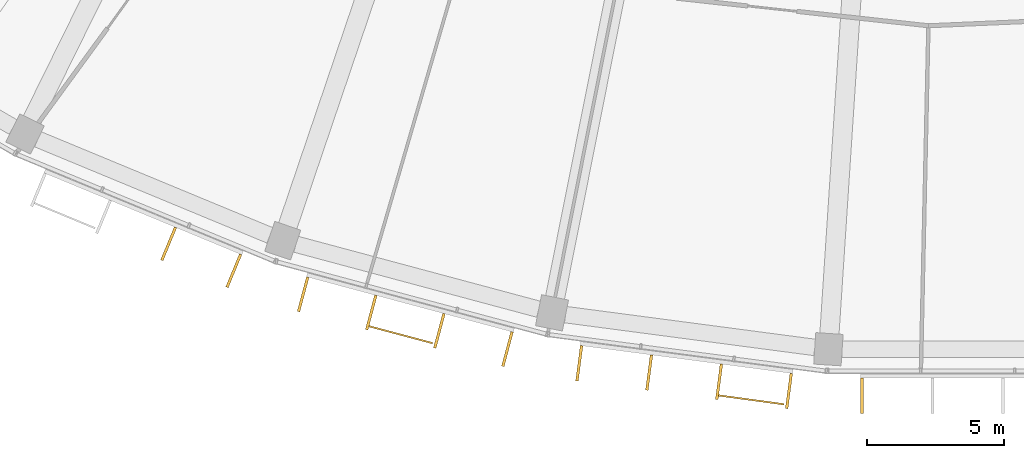
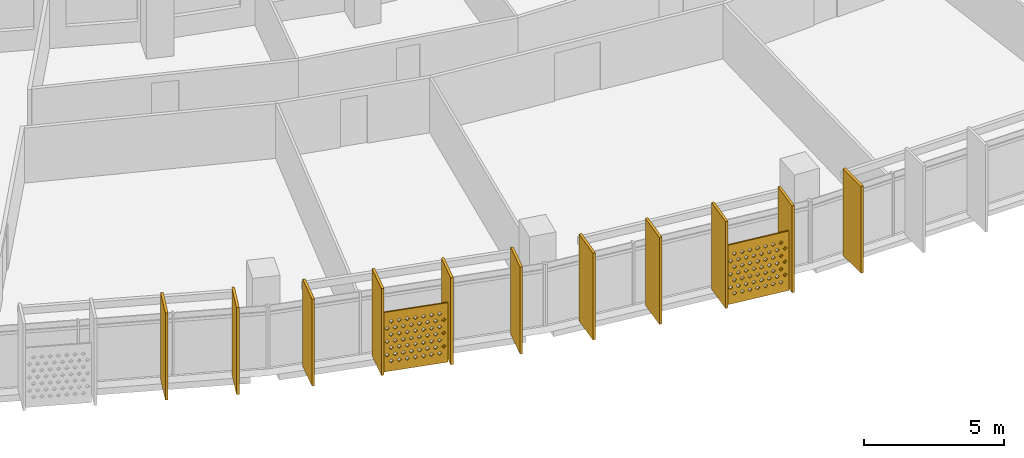
# One storey, part 24 of 28: 13 shading devices.
"""IFC4 building model written with IfcOpenShell, lengths in metres."""

from ifc_helpers import new_model, si_unit, direction, frame, origin, origin_2d, place, context, subcontext, project, spatial, polyline, rectangle, outline, extrude, material, material_profile, profile_set, type_object, element, save


model = new_model("IFC4")

# Units and contexts
model_context = context("Model", 3, precision=1e-05, world=origin(), true_north=direction((0.0, 1.0)))
body_context = subcontext(model_context, "Body", "Model", "MODEL_VIEW")
ifc_project = project(units=[si_unit("LENGTHUNIT", "METRE"), si_unit("AREAUNIT", "SQUARE_METRE"), si_unit("VOLUMEUNIT", "CUBIC_METRE"), si_unit("PLANEANGLEUNIT", "RADIAN"), si_unit("MASSUNIT", "GRAM", prefix="KILO")], contexts=[model_context])

# Site, building, storey
site_placement = place(None, origin())
site = spatial("IfcSite", under=ifc_project, at=site_placement, CompositionType="ELEMENT")
building_placement = place(site_placement, origin())
building = spatial("IfcBuilding", under=site, at=building_placement, Name="Qamariyya Broadcast Tower", CompositionType="ELEMENT")
storey_placement = place(building_placement, frame((0.0, 0.0, 249.300048828125)))
storey = spatial("IfcBuildingStorey", under=building, at=storey_placement, Name="L60", CompositionType="ELEMENT", Elevation=249.300048828125)

# Shading devices
ifc_material_1 = material(Name="Perforated glazed terracotta", Category="masonry")
ifc_material_profile_1 = material_profile(ifc_material_1, outline(polyline([(-1.199951171875, -1.300048828125), (1.199951171875, -1.300048828125), (1.199951171875, 1.300048828125), (-1.199951171875, 1.300048828125), (-1.199951171875, -1.300048828125)]), holes=[polyline([(-0.81494140625, -0.86669921875), (-0.89990234375, -0.78173828125), (-0.985107421875, -0.86669921875), (-0.89990234375, -0.95166015625), (-0.81494140625, -0.86669921875)]), polyline([(-0.514892578125, -0.86669921875), (-0.60009765625, -0.78173828125), (-0.68505859375, -0.86669921875), (-0.60009765625, -0.95166015625), (-0.514892578125, -0.86669921875)]), polyline([(-0.215087890625, -0.86669921875), (-0.300048828125, -0.78173828125), (-0.385009765625, -0.86669921875), (-0.300048828125, -0.95166015625), (-0.215087890625, -0.86669921875)]), polyline([(0.0849609375, -0.86669921875), (0.0, -0.78173828125), (-0.0849609375, -0.86669921875), (0.0, -0.95166015625), (0.0849609375, -0.86669921875)]), polyline([(0.385009765625, -0.86669921875), (0.300048828125, -0.78173828125), (0.215087890625, -0.86669921875), (0.300048828125, -0.95166015625), (0.385009765625, -0.86669921875)]), polyline([(0.68505859375, -0.86669921875), (0.60009765625, -0.78173828125), (0.514892578125, -0.86669921875), (0.60009765625, -0.95166015625), (0.68505859375, -0.86669921875)]), polyline([(0.985107421875, -0.86669921875), (0.89990234375, -0.78173828125), (0.81494140625, -0.86669921875), (0.89990234375, -0.95166015625), (0.985107421875, -0.86669921875)]), polyline([(-0.965087890625, -0.577880859375), (-1.050048828125, -0.49267578125), (-1.135009765625, -0.577880859375), (-1.050048828125, -0.662841796875), (-0.965087890625, -0.577880859375)]), polyline([(-0.6650390625, -0.577880859375), (-0.75, -0.49267578125), (-0.8349609375, -0.577880859375), (-0.75, -0.662841796875), (-0.6650390625, -0.577880859375)]), polyline([(-0.364990234375, -0.577880859375), (-0.449951171875, -0.49267578125), (-0.534912109375, -0.577880859375), (-0.449951171875, -0.662841796875), (-0.364990234375, -0.577880859375)]), polyline([(-0.06494140625, -0.577880859375), (-0.14990234375, -0.49267578125), (-0.235107421875, -0.577880859375), (-0.14990234375, -0.662841796875), (-0.06494140625, -0.577880859375)]), polyline([(0.235107421875, -0.577880859375), (0.14990234375, -0.49267578125), (0.06494140625, -0.577880859375), (0.14990234375, -0.662841796875), (0.235107421875, -0.577880859375)]), polyline([(0.534912109375, -0.577880859375), (0.449951171875, -0.49267578125), (0.364990234375, -0.577880859375), (0.449951171875, -0.662841796875), (0.534912109375, -0.577880859375)]), polyline([(0.8349609375, -0.577880859375), (0.75, -0.49267578125), (0.6650390625, -0.577880859375), (0.75, -0.662841796875), (0.8349609375, -0.577880859375)]), polyline([(1.135009765625, -0.577880859375), (1.050048828125, -0.49267578125), (0.965087890625, -0.577880859375), (1.050048828125, -0.662841796875), (1.135009765625, -0.577880859375)]), polyline([(-0.81494140625, -0.288818359375), (-0.89990234375, -0.203857421875), (-0.985107421875, -0.288818359375), (-0.89990234375, -0.373779296875), (-0.81494140625, -0.288818359375)]), polyline([(-0.514892578125, -0.288818359375), (-0.60009765625, -0.203857421875), (-0.68505859375, -0.288818359375), (-0.60009765625, -0.373779296875), (-0.514892578125, -0.288818359375)]), polyline([(-0.215087890625, -0.288818359375), (-0.300048828125, -0.203857421875), (-0.385009765625, -0.288818359375), (-0.300048828125, -0.373779296875), (-0.215087890625, -0.288818359375)]), polyline([(0.0849609375, -0.288818359375), (0.0, -0.203857421875), (-0.0849609375, -0.288818359375), (0.0, -0.373779296875), (0.0849609375, -0.288818359375)]), polyline([(0.385009765625, -0.288818359375), (0.300048828125, -0.203857421875), (0.215087890625, -0.288818359375), (0.300048828125, -0.373779296875), (0.385009765625, -0.288818359375)]), polyline([(0.68505859375, -0.288818359375), (0.60009765625, -0.203857421875), (0.514892578125, -0.288818359375), (0.60009765625, -0.373779296875), (0.68505859375, -0.288818359375)]), polyline([(0.985107421875, -0.288818359375), (0.89990234375, -0.203857421875), (0.81494140625, -0.288818359375), (0.89990234375, -0.373779296875), (0.985107421875, -0.288818359375)]), polyline([(-0.965087890625, 0.0), (-1.050048828125, 0.0849609375), (-1.135009765625, 0.0), (-1.050048828125, -0.0849609375), (-0.965087890625, 0.0)]), polyline([(-0.6650390625, 0.0), (-0.75, 0.0849609375), (-0.8349609375, 0.0), (-0.75, -0.0849609375), (-0.6650390625, 0.0)]), polyline([(-0.364990234375, 0.0), (-0.449951171875, 0.0849609375), (-0.534912109375, 0.0), (-0.449951171875, -0.0849609375), (-0.364990234375, 0.0)]), polyline([(-0.06494140625, 0.0), (-0.14990234375, 0.0849609375), (-0.235107421875, 0.0), (-0.14990234375, -0.0849609375), (-0.06494140625, 0.0)]), polyline([(0.235107421875, 0.0), (0.14990234375, 0.0849609375), (0.06494140625, 0.0), (0.14990234375, -0.0849609375), (0.235107421875, 0.0)]), polyline([(0.534912109375, 0.0), (0.449951171875, 0.0849609375), (0.364990234375, 0.0), (0.449951171875, -0.0849609375), (0.534912109375, 0.0)]), polyline([(0.8349609375, 0.0), (0.75, 0.0849609375), (0.6650390625, 0.0), (0.75, -0.0849609375), (0.8349609375, 0.0)]), polyline([(1.135009765625, 0.0), (1.050048828125, 0.0849609375), (0.965087890625, 0.0), (1.050048828125, -0.0849609375), (1.135009765625, 0.0)]), polyline([(-0.81494140625, 0.288818359375), (-0.89990234375, 0.373779296875), (-0.985107421875, 0.288818359375), (-0.89990234375, 0.203857421875), (-0.81494140625, 0.288818359375)]), polyline([(-0.514892578125, 0.288818359375), (-0.60009765625, 0.373779296875), (-0.68505859375, 0.288818359375), (-0.60009765625, 0.203857421875), (-0.514892578125, 0.288818359375)]), polyline([(-0.215087890625, 0.288818359375), (-0.300048828125, 0.373779296875), (-0.385009765625, 0.288818359375), (-0.300048828125, 0.203857421875), (-0.215087890625, 0.288818359375)]), polyline([(0.0849609375, 0.288818359375), (0.0, 0.373779296875), (-0.0849609375, 0.288818359375), (0.0, 0.203857421875), (0.0849609375, 0.288818359375)]), polyline([(0.385009765625, 0.288818359375), (0.300048828125, 0.373779296875), (0.215087890625, 0.288818359375), (0.300048828125, 0.203857421875), (0.385009765625, 0.288818359375)]), polyline([(0.68505859375, 0.288818359375), (0.60009765625, 0.373779296875), (0.514892578125, 0.288818359375), (0.60009765625, 0.203857421875), (0.68505859375, 0.288818359375)]), polyline([(0.985107421875, 0.288818359375), (0.89990234375, 0.373779296875), (0.81494140625, 0.288818359375), (0.89990234375, 0.203857421875), (0.985107421875, 0.288818359375)]), polyline([(-0.965087890625, 0.577880859375), (-1.050048828125, 0.662841796875), (-1.135009765625, 0.577880859375), (-1.050048828125, 0.49267578125), (-0.965087890625, 0.577880859375)]), polyline([(-0.6650390625, 0.577880859375), (-0.75, 0.662841796875), (-0.8349609375, 0.577880859375), (-0.75, 0.49267578125), (-0.6650390625, 0.577880859375)]), polyline([(-0.364990234375, 0.577880859375), (-0.449951171875, 0.662841796875), (-0.534912109375, 0.577880859375), (-0.449951171875, 0.49267578125), (-0.364990234375, 0.577880859375)]), polyline([(-0.06494140625, 0.577880859375), (-0.14990234375, 0.662841796875), (-0.235107421875, 0.577880859375), (-0.14990234375, 0.49267578125), (-0.06494140625, 0.577880859375)]), polyline([(0.235107421875, 0.577880859375), (0.14990234375, 0.662841796875), (0.06494140625, 0.577880859375), (0.14990234375, 0.49267578125), (0.235107421875, 0.577880859375)]), polyline([(0.534912109375, 0.577880859375), (0.449951171875, 0.662841796875), (0.364990234375, 0.577880859375), (0.449951171875, 0.49267578125), (0.534912109375, 0.577880859375)]), polyline([(0.8349609375, 0.577880859375), (0.75, 0.662841796875), (0.6650390625, 0.577880859375), (0.75, 0.49267578125), (0.8349609375, 0.577880859375)]), polyline([(1.135009765625, 0.577880859375), (1.050048828125, 0.662841796875), (0.965087890625, 0.577880859375), (1.050048828125, 0.49267578125), (1.135009765625, 0.577880859375)]), polyline([(-0.81494140625, 0.86669921875), (-0.89990234375, 0.95166015625), (-0.985107421875, 0.86669921875), (-0.89990234375, 0.78173828125), (-0.81494140625, 0.86669921875)]), polyline([(-0.514892578125, 0.86669921875), (-0.60009765625, 0.95166015625), (-0.68505859375, 0.86669921875), (-0.60009765625, 0.78173828125), (-0.514892578125, 0.86669921875)]), polyline([(-0.215087890625, 0.86669921875), (-0.300048828125, 0.95166015625), (-0.385009765625, 0.86669921875), (-0.300048828125, 0.78173828125), (-0.215087890625, 0.86669921875)]), polyline([(0.0849609375, 0.86669921875), (0.0, 0.95166015625), (-0.0849609375, 0.86669921875), (0.0, 0.78173828125), (0.0849609375, 0.86669921875)]), polyline([(0.385009765625, 0.86669921875), (0.300048828125, 0.95166015625), (0.215087890625, 0.86669921875), (0.300048828125, 0.78173828125), (0.385009765625, 0.86669921875)]), polyline([(0.68505859375, 0.86669921875), (0.60009765625, 0.95166015625), (0.514892578125, 0.86669921875), (0.60009765625, 0.78173828125), (0.68505859375, 0.86669921875)]), polyline([(0.985107421875, 0.86669921875), (0.89990234375, 0.95166015625), (0.81494140625, 0.86669921875), (0.89990234375, 0.78173828125), (0.985107421875, 0.86669921875)])]))
ifc_profile_set_1 = profile_set([ifc_material_profile_1], Name="Perforated glazed terracotta")
shading_device_type_1 = type_object("IfcShadingDeviceType", Name="Perforated terracotta screen 2400 x 2600", PredefinedType="USERDEFINED", material=ifc_profile_set_1)
shading_device_1_placement = place(storey_placement, frame((-20.676025390625, -77.02490234375, 1.349853515625), z_axis=(-0.256901156343, -0.966437683387, 0.0), x_axis=(0.966437683387, -0.256901156343, 0.0)))
element("IfcShadingDevice", 1, at=shading_device_1_placement, inside=storey, type_object=shading_device_type_1, Name="e-scr-L60-06-1", ObjectType="SCREEN", PredefinedType="USERDEFINED", context=body_context, shape_type="SweptSolid", body=[
    extrude(outline(polyline([(-1.199951171875, -1.300048828125), (1.199951171875, -1.300048828125), (1.199951171875, 1.300048828125), (-1.199951171875, 1.300048828125), (-1.199951171875, -1.300048828125)]), holes=[polyline([(-0.81494140625, -0.86669921875), (-0.89990234375, -0.78173828125), (-0.985107421875, -0.86669921875), (-0.89990234375, -0.95166015625), (-0.81494140625, -0.86669921875)]), polyline([(-0.514892578125, -0.86669921875), (-0.60009765625, -0.78173828125), (-0.68505859375, -0.86669921875), (-0.60009765625, -0.95166015625), (-0.514892578125, -0.86669921875)]), polyline([(-0.215087890625, -0.86669921875), (-0.300048828125, -0.78173828125), (-0.385009765625, -0.86669921875), (-0.300048828125, -0.95166015625), (-0.215087890625, -0.86669921875)]), polyline([(0.0849609375, -0.86669921875), (0.0, -0.78173828125), (-0.0849609375, -0.86669921875), (0.0, -0.95166015625), (0.0849609375, -0.86669921875)]), polyline([(0.385009765625, -0.86669921875), (0.300048828125, -0.78173828125), (0.215087890625, -0.86669921875), (0.300048828125, -0.95166015625), (0.385009765625, -0.86669921875)]), polyline([(0.68505859375, -0.86669921875), (0.60009765625, -0.78173828125), (0.514892578125, -0.86669921875), (0.60009765625, -0.95166015625), (0.68505859375, -0.86669921875)]), polyline([(0.985107421875, -0.86669921875), (0.89990234375, -0.78173828125), (0.81494140625, -0.86669921875), (0.89990234375, -0.95166015625), (0.985107421875, -0.86669921875)]), polyline([(-0.965087890625, -0.577880859375), (-1.050048828125, -0.49267578125), (-1.135009765625, -0.577880859375), (-1.050048828125, -0.662841796875), (-0.965087890625, -0.577880859375)]), polyline([(-0.6650390625, -0.577880859375), (-0.75, -0.49267578125), (-0.8349609375, -0.577880859375), (-0.75, -0.662841796875), (-0.6650390625, -0.577880859375)]), polyline([(-0.364990234375, -0.577880859375), (-0.449951171875, -0.49267578125), (-0.534912109375, -0.577880859375), (-0.449951171875, -0.662841796875), (-0.364990234375, -0.577880859375)]), polyline([(-0.06494140625, -0.577880859375), (-0.14990234375, -0.49267578125), (-0.235107421875, -0.577880859375), (-0.14990234375, -0.662841796875), (-0.06494140625, -0.577880859375)]), polyline([(0.235107421875, -0.577880859375), (0.14990234375, -0.49267578125), (0.06494140625, -0.577880859375), (0.14990234375, -0.662841796875), (0.235107421875, -0.577880859375)]), polyline([(0.534912109375, -0.577880859375), (0.449951171875, -0.49267578125), (0.364990234375, -0.577880859375), (0.449951171875, -0.662841796875), (0.534912109375, -0.577880859375)]), polyline([(0.8349609375, -0.577880859375), (0.75, -0.49267578125), (0.6650390625, -0.577880859375), (0.75, -0.662841796875), (0.8349609375, -0.577880859375)]), polyline([(1.135009765625, -0.577880859375), (1.050048828125, -0.49267578125), (0.965087890625, -0.577880859375), (1.050048828125, -0.662841796875), (1.135009765625, -0.577880859375)]), polyline([(-0.81494140625, -0.288818359375), (-0.89990234375, -0.203857421875), (-0.985107421875, -0.288818359375), (-0.89990234375, -0.373779296875), (-0.81494140625, -0.288818359375)]), polyline([(-0.514892578125, -0.288818359375), (-0.60009765625, -0.203857421875), (-0.68505859375, -0.288818359375), (-0.60009765625, -0.373779296875), (-0.514892578125, -0.288818359375)]), polyline([(-0.215087890625, -0.288818359375), (-0.300048828125, -0.203857421875), (-0.385009765625, -0.288818359375), (-0.300048828125, -0.373779296875), (-0.215087890625, -0.288818359375)]), polyline([(0.0849609375, -0.288818359375), (0.0, -0.203857421875), (-0.0849609375, -0.288818359375), (0.0, -0.373779296875), (0.0849609375, -0.288818359375)]), polyline([(0.385009765625, -0.288818359375), (0.300048828125, -0.203857421875), (0.215087890625, -0.288818359375), (0.300048828125, -0.373779296875), (0.385009765625, -0.288818359375)]), polyline([(0.68505859375, -0.288818359375), (0.60009765625, -0.203857421875), (0.514892578125, -0.288818359375), (0.60009765625, -0.373779296875), (0.68505859375, -0.288818359375)]), polyline([(0.985107421875, -0.288818359375), (0.89990234375, -0.203857421875), (0.81494140625, -0.288818359375), (0.89990234375, -0.373779296875), (0.985107421875, -0.288818359375)]), polyline([(-0.965087890625, 0.0), (-1.050048828125, 0.0849609375), (-1.135009765625, 0.0), (-1.050048828125, -0.0849609375), (-0.965087890625, 0.0)]), polyline([(-0.6650390625, 0.0), (-0.75, 0.0849609375), (-0.8349609375, 0.0), (-0.75, -0.0849609375), (-0.6650390625, 0.0)]), polyline([(-0.364990234375, 0.0), (-0.449951171875, 0.0849609375), (-0.534912109375, 0.0), (-0.449951171875, -0.0849609375), (-0.364990234375, 0.0)]), polyline([(-0.06494140625, 0.0), (-0.14990234375, 0.0849609375), (-0.235107421875, 0.0), (-0.14990234375, -0.0849609375), (-0.06494140625, 0.0)]), polyline([(0.235107421875, 0.0), (0.14990234375, 0.0849609375), (0.06494140625, 0.0), (0.14990234375, -0.0849609375), (0.235107421875, 0.0)]), polyline([(0.534912109375, 0.0), (0.449951171875, 0.0849609375), (0.364990234375, 0.0), (0.449951171875, -0.0849609375), (0.534912109375, 0.0)]), polyline([(0.8349609375, 0.0), (0.75, 0.0849609375), (0.6650390625, 0.0), (0.75, -0.0849609375), (0.8349609375, 0.0)]), polyline([(1.135009765625, 0.0), (1.050048828125, 0.0849609375), (0.965087890625, 0.0), (1.050048828125, -0.0849609375), (1.135009765625, 0.0)]), polyline([(-0.81494140625, 0.288818359375), (-0.89990234375, 0.373779296875), (-0.985107421875, 0.288818359375), (-0.89990234375, 0.203857421875), (-0.81494140625, 0.288818359375)]), polyline([(-0.514892578125, 0.288818359375), (-0.60009765625, 0.373779296875), (-0.68505859375, 0.288818359375), (-0.60009765625, 0.203857421875), (-0.514892578125, 0.288818359375)]), polyline([(-0.215087890625, 0.288818359375), (-0.300048828125, 0.373779296875), (-0.385009765625, 0.288818359375), (-0.300048828125, 0.203857421875), (-0.215087890625, 0.288818359375)]), polyline([(0.0849609375, 0.288818359375), (0.0, 0.373779296875), (-0.0849609375, 0.288818359375), (0.0, 0.203857421875), (0.0849609375, 0.288818359375)]), polyline([(0.385009765625, 0.288818359375), (0.300048828125, 0.373779296875), (0.215087890625, 0.288818359375), (0.300048828125, 0.203857421875), (0.385009765625, 0.288818359375)]), polyline([(0.68505859375, 0.288818359375), (0.60009765625, 0.373779296875), (0.514892578125, 0.288818359375), (0.60009765625, 0.203857421875), (0.68505859375, 0.288818359375)]), polyline([(0.985107421875, 0.288818359375), (0.89990234375, 0.373779296875), (0.81494140625, 0.288818359375), (0.89990234375, 0.203857421875), (0.985107421875, 0.288818359375)]), polyline([(-0.965087890625, 0.577880859375), (-1.050048828125, 0.662841796875), (-1.135009765625, 0.577880859375), (-1.050048828125, 0.49267578125), (-0.965087890625, 0.577880859375)]), polyline([(-0.6650390625, 0.577880859375), (-0.75, 0.662841796875), (-0.8349609375, 0.577880859375), (-0.75, 0.49267578125), (-0.6650390625, 0.577880859375)]), polyline([(-0.364990234375, 0.577880859375), (-0.449951171875, 0.662841796875), (-0.534912109375, 0.577880859375), (-0.449951171875, 0.49267578125), (-0.364990234375, 0.577880859375)]), polyline([(-0.06494140625, 0.577880859375), (-0.14990234375, 0.662841796875), (-0.235107421875, 0.577880859375), (-0.14990234375, 0.49267578125), (-0.06494140625, 0.577880859375)]), polyline([(0.235107421875, 0.577880859375), (0.14990234375, 0.662841796875), (0.06494140625, 0.577880859375), (0.14990234375, 0.49267578125), (0.235107421875, 0.577880859375)]), polyline([(0.534912109375, 0.577880859375), (0.449951171875, 0.662841796875), (0.364990234375, 0.577880859375), (0.449951171875, 0.49267578125), (0.534912109375, 0.577880859375)]), polyline([(0.8349609375, 0.577880859375), (0.75, 0.662841796875), (0.6650390625, 0.577880859375), (0.75, 0.49267578125), (0.8349609375, 0.577880859375)]), polyline([(1.135009765625, 0.577880859375), (1.050048828125, 0.662841796875), (0.965087890625, 0.577880859375), (1.050048828125, 0.49267578125), (1.135009765625, 0.577880859375)]), polyline([(-0.81494140625, 0.86669921875), (-0.89990234375, 0.95166015625), (-0.985107421875, 0.86669921875), (-0.89990234375, 0.78173828125), (-0.81494140625, 0.86669921875)]), polyline([(-0.514892578125, 0.86669921875), (-0.60009765625, 0.95166015625), (-0.68505859375, 0.86669921875), (-0.60009765625, 0.78173828125), (-0.514892578125, 0.86669921875)]), polyline([(-0.215087890625, 0.86669921875), (-0.300048828125, 0.95166015625), (-0.385009765625, 0.86669921875), (-0.300048828125, 0.78173828125), (-0.215087890625, 0.86669921875)]), polyline([(0.0849609375, 0.86669921875), (0.0, 0.95166015625), (-0.0849609375, 0.86669921875), (0.0, 0.78173828125), (0.0849609375, 0.86669921875)]), polyline([(0.385009765625, 0.86669921875), (0.300048828125, 0.95166015625), (0.215087890625, 0.86669921875), (0.300048828125, 0.78173828125), (0.385009765625, 0.86669921875)]), polyline([(0.68505859375, 0.86669921875), (0.60009765625, 0.95166015625), (0.514892578125, 0.86669921875), (0.60009765625, 0.78173828125), (0.68505859375, 0.86669921875)]), polyline([(0.985107421875, 0.86669921875), (0.89990234375, 0.95166015625), (0.81494140625, 0.86669921875), (0.89990234375, 0.78173828125), (0.985107421875, 0.86669921875)])]), origin(), (0.0, 0.0, 1.0), 0.059814453125),
])
shading_device_2_placement = place(storey_placement, frame((-7.895263671875, -79.400390625, 1.349853515625), z_axis=(-0.13456727237, -0.990904460181, 0.0), x_axis=(0.990904460181, -0.13456727237, 0.0)))
element("IfcShadingDevice", 2, at=shading_device_2_placement, inside=storey, type_object=shading_device_type_1, Name="e-scr-L60-07-2", ObjectType="SCREEN", PredefinedType="USERDEFINED", context=body_context, shape_type="SweptSolid", body=[
    extrude(outline(polyline([(-1.199951171875, -1.300048828125), (1.199951171875, -1.300048828125), (1.199951171875, 1.300048828125), (-1.199951171875, 1.300048828125), (-1.199951171875, -1.300048828125)]), holes=[polyline([(-0.81494140625, -0.86669921875), (-0.89990234375, -0.78173828125), (-0.985107421875, -0.86669921875), (-0.89990234375, -0.95166015625), (-0.81494140625, -0.86669921875)]), polyline([(-0.514892578125, -0.86669921875), (-0.60009765625, -0.78173828125), (-0.68505859375, -0.86669921875), (-0.60009765625, -0.95166015625), (-0.514892578125, -0.86669921875)]), polyline([(-0.215087890625, -0.86669921875), (-0.300048828125, -0.78173828125), (-0.385009765625, -0.86669921875), (-0.300048828125, -0.95166015625), (-0.215087890625, -0.86669921875)]), polyline([(0.0849609375, -0.86669921875), (0.0, -0.78173828125), (-0.0849609375, -0.86669921875), (0.0, -0.95166015625), (0.0849609375, -0.86669921875)]), polyline([(0.385009765625, -0.86669921875), (0.300048828125, -0.78173828125), (0.215087890625, -0.86669921875), (0.300048828125, -0.95166015625), (0.385009765625, -0.86669921875)]), polyline([(0.68505859375, -0.86669921875), (0.60009765625, -0.78173828125), (0.514892578125, -0.86669921875), (0.60009765625, -0.95166015625), (0.68505859375, -0.86669921875)]), polyline([(0.985107421875, -0.86669921875), (0.89990234375, -0.78173828125), (0.81494140625, -0.86669921875), (0.89990234375, -0.95166015625), (0.985107421875, -0.86669921875)]), polyline([(-0.965087890625, -0.577880859375), (-1.050048828125, -0.49267578125), (-1.135009765625, -0.577880859375), (-1.050048828125, -0.662841796875), (-0.965087890625, -0.577880859375)]), polyline([(-0.6650390625, -0.577880859375), (-0.75, -0.49267578125), (-0.8349609375, -0.577880859375), (-0.75, -0.662841796875), (-0.6650390625, -0.577880859375)]), polyline([(-0.364990234375, -0.577880859375), (-0.449951171875, -0.49267578125), (-0.534912109375, -0.577880859375), (-0.449951171875, -0.662841796875), (-0.364990234375, -0.577880859375)]), polyline([(-0.06494140625, -0.577880859375), (-0.14990234375, -0.49267578125), (-0.235107421875, -0.577880859375), (-0.14990234375, -0.662841796875), (-0.06494140625, -0.577880859375)]), polyline([(0.235107421875, -0.577880859375), (0.14990234375, -0.49267578125), (0.06494140625, -0.577880859375), (0.14990234375, -0.662841796875), (0.235107421875, -0.577880859375)]), polyline([(0.534912109375, -0.577880859375), (0.449951171875, -0.49267578125), (0.364990234375, -0.577880859375), (0.449951171875, -0.662841796875), (0.534912109375, -0.577880859375)]), polyline([(0.8349609375, -0.577880859375), (0.75, -0.49267578125), (0.6650390625, -0.577880859375), (0.75, -0.662841796875), (0.8349609375, -0.577880859375)]), polyline([(1.135009765625, -0.577880859375), (1.050048828125, -0.49267578125), (0.965087890625, -0.577880859375), (1.050048828125, -0.662841796875), (1.135009765625, -0.577880859375)]), polyline([(-0.81494140625, -0.288818359375), (-0.89990234375, -0.203857421875), (-0.985107421875, -0.288818359375), (-0.89990234375, -0.373779296875), (-0.81494140625, -0.288818359375)]), polyline([(-0.514892578125, -0.288818359375), (-0.60009765625, -0.203857421875), (-0.68505859375, -0.288818359375), (-0.60009765625, -0.373779296875), (-0.514892578125, -0.288818359375)]), polyline([(-0.215087890625, -0.288818359375), (-0.300048828125, -0.203857421875), (-0.385009765625, -0.288818359375), (-0.300048828125, -0.373779296875), (-0.215087890625, -0.288818359375)]), polyline([(0.0849609375, -0.288818359375), (0.0, -0.203857421875), (-0.0849609375, -0.288818359375), (0.0, -0.373779296875), (0.0849609375, -0.288818359375)]), polyline([(0.385009765625, -0.288818359375), (0.300048828125, -0.203857421875), (0.215087890625, -0.288818359375), (0.300048828125, -0.373779296875), (0.385009765625, -0.288818359375)]), polyline([(0.68505859375, -0.288818359375), (0.60009765625, -0.203857421875), (0.514892578125, -0.288818359375), (0.60009765625, -0.373779296875), (0.68505859375, -0.288818359375)]), polyline([(0.985107421875, -0.288818359375), (0.89990234375, -0.203857421875), (0.81494140625, -0.288818359375), (0.89990234375, -0.373779296875), (0.985107421875, -0.288818359375)]), polyline([(-0.965087890625, 0.0), (-1.050048828125, 0.0849609375), (-1.135009765625, 0.0), (-1.050048828125, -0.0849609375), (-0.965087890625, 0.0)]), polyline([(-0.6650390625, 0.0), (-0.75, 0.0849609375), (-0.8349609375, 0.0), (-0.75, -0.0849609375), (-0.6650390625, 0.0)]), polyline([(-0.364990234375, 0.0), (-0.449951171875, 0.0849609375), (-0.534912109375, 0.0), (-0.449951171875, -0.0849609375), (-0.364990234375, 0.0)]), polyline([(-0.06494140625, 0.0), (-0.14990234375, 0.0849609375), (-0.235107421875, 0.0), (-0.14990234375, -0.0849609375), (-0.06494140625, 0.0)]), polyline([(0.235107421875, 0.0), (0.14990234375, 0.0849609375), (0.06494140625, 0.0), (0.14990234375, -0.0849609375), (0.235107421875, 0.0)]), polyline([(0.534912109375, 0.0), (0.449951171875, 0.0849609375), (0.364990234375, 0.0), (0.449951171875, -0.0849609375), (0.534912109375, 0.0)]), polyline([(0.8349609375, 0.0), (0.75, 0.0849609375), (0.6650390625, 0.0), (0.75, -0.0849609375), (0.8349609375, 0.0)]), polyline([(1.135009765625, 0.0), (1.050048828125, 0.0849609375), (0.965087890625, 0.0), (1.050048828125, -0.0849609375), (1.135009765625, 0.0)]), polyline([(-0.81494140625, 0.288818359375), (-0.89990234375, 0.373779296875), (-0.985107421875, 0.288818359375), (-0.89990234375, 0.203857421875), (-0.81494140625, 0.288818359375)]), polyline([(-0.514892578125, 0.288818359375), (-0.60009765625, 0.373779296875), (-0.68505859375, 0.288818359375), (-0.60009765625, 0.203857421875), (-0.514892578125, 0.288818359375)]), polyline([(-0.215087890625, 0.288818359375), (-0.300048828125, 0.373779296875), (-0.385009765625, 0.288818359375), (-0.300048828125, 0.203857421875), (-0.215087890625, 0.288818359375)]), polyline([(0.0849609375, 0.288818359375), (0.0, 0.373779296875), (-0.0849609375, 0.288818359375), (0.0, 0.203857421875), (0.0849609375, 0.288818359375)]), polyline([(0.385009765625, 0.288818359375), (0.300048828125, 0.373779296875), (0.215087890625, 0.288818359375), (0.300048828125, 0.203857421875), (0.385009765625, 0.288818359375)]), polyline([(0.68505859375, 0.288818359375), (0.60009765625, 0.373779296875), (0.514892578125, 0.288818359375), (0.60009765625, 0.203857421875), (0.68505859375, 0.288818359375)]), polyline([(0.985107421875, 0.288818359375), (0.89990234375, 0.373779296875), (0.81494140625, 0.288818359375), (0.89990234375, 0.203857421875), (0.985107421875, 0.288818359375)]), polyline([(-0.965087890625, 0.577880859375), (-1.050048828125, 0.662841796875), (-1.135009765625, 0.577880859375), (-1.050048828125, 0.49267578125), (-0.965087890625, 0.577880859375)]), polyline([(-0.6650390625, 0.577880859375), (-0.75, 0.662841796875), (-0.8349609375, 0.577880859375), (-0.75, 0.49267578125), (-0.6650390625, 0.577880859375)]), polyline([(-0.364990234375, 0.577880859375), (-0.449951171875, 0.662841796875), (-0.534912109375, 0.577880859375), (-0.449951171875, 0.49267578125), (-0.364990234375, 0.577880859375)]), polyline([(-0.06494140625, 0.577880859375), (-0.14990234375, 0.662841796875), (-0.235107421875, 0.577880859375), (-0.14990234375, 0.49267578125), (-0.06494140625, 0.577880859375)]), polyline([(0.235107421875, 0.577880859375), (0.14990234375, 0.662841796875), (0.06494140625, 0.577880859375), (0.14990234375, 0.49267578125), (0.235107421875, 0.577880859375)]), polyline([(0.534912109375, 0.577880859375), (0.449951171875, 0.662841796875), (0.364990234375, 0.577880859375), (0.449951171875, 0.49267578125), (0.534912109375, 0.577880859375)]), polyline([(0.8349609375, 0.577880859375), (0.75, 0.662841796875), (0.6650390625, 0.577880859375), (0.75, 0.49267578125), (0.8349609375, 0.577880859375)]), polyline([(1.135009765625, 0.577880859375), (1.050048828125, 0.662841796875), (0.965087890625, 0.577880859375), (1.050048828125, 0.49267578125), (1.135009765625, 0.577880859375)]), polyline([(-0.81494140625, 0.86669921875), (-0.89990234375, 0.95166015625), (-0.985107421875, 0.86669921875), (-0.89990234375, 0.78173828125), (-0.81494140625, 0.86669921875)]), polyline([(-0.514892578125, 0.86669921875), (-0.60009765625, 0.95166015625), (-0.68505859375, 0.86669921875), (-0.60009765625, 0.78173828125), (-0.514892578125, 0.86669921875)]), polyline([(-0.215087890625, 0.86669921875), (-0.300048828125, 0.95166015625), (-0.385009765625, 0.86669921875), (-0.300048828125, 0.78173828125), (-0.215087890625, 0.86669921875)]), polyline([(0.0849609375, 0.86669921875), (0.0, 0.95166015625), (-0.0849609375, 0.86669921875), (0.0, 0.78173828125), (0.0849609375, 0.86669921875)]), polyline([(0.385009765625, 0.86669921875), (0.300048828125, 0.95166015625), (0.215087890625, 0.86669921875), (0.300048828125, 0.78173828125), (0.385009765625, 0.86669921875)]), polyline([(0.68505859375, 0.86669921875), (0.60009765625, 0.95166015625), (0.514892578125, 0.86669921875), (0.60009765625, 0.78173828125), (0.68505859375, 0.86669921875)]), polyline([(0.985107421875, 0.86669921875), (0.89990234375, 0.95166015625), (0.81494140625, 0.86669921875), (0.89990234375, 0.78173828125), (0.985107421875, 0.86669921875)])]), origin(), (0.0, 0.0, 1.0), 0.059814453125),
])
ifc_material_2 = material(Name="Glazed terracotta", Category="masonry")
ifc_material_profile_2 = material_profile(ifc_material_2, rectangle(XDim=1.300048828125, YDim=0.10009765625, at=origin_2d()))
ifc_profile_set_2 = profile_set([ifc_material_profile_2], Name="Glazed terracotta")
shading_device_type_2 = type_object("IfcShadingDeviceType", Name="Terracotta fin 100 x 1300", PredefinedType="USERDEFINED", material=ifc_profile_set_2)
for number, where, z_axis, x_axis, name in (
    (3, (-29.151611328125, -73.73876953125, 0.0), (0.0, 0.0, 1.0), (-0.382683432365, -0.923879532511, 0.0), "e-fin-L60-05-2"),
    (4, (-26.775390625, -74.72314453125, 0.0), (0.0, 0.0, 1.0), (-0.382683432365, -0.923879532511, 0.0), "e-fin-L60-05-3"),
    (5, (-24.24609375, -75.58154296875, 0.0), (0.0, 0.0, 1.0), (-0.258819045103, -0.965925826289, 0.0), "e-fin-L60-06-0"),
    (6, (-21.76171875, -76.247314453125, 0.0), (0.0, 0.0, 1.0), (-0.258819045103, -0.965925826289, 0.0), "e-fin-L60-06-1"),
    (7, (-19.27734375, -76.9130859375, 0.0), (0.0, 0.0, 1.0), (-0.258819045103, -0.965925826289, 0.0), "e-fin-L60-06-2"),
    (8, (-16.79296875, -77.57861328125, 0.0), (0.0, 0.0, 1.0), (-0.258819045103, -0.965925826289, 0.0), "e-fin-L60-06-3"),
    (9, (-14.17333984375, -78.099853515625, 0.0), (0.0, 0.0, 1.0), (-0.13052619222, -0.991444861374, 0.0), "e-fin-L60-07-0"),
    (10, (-11.623291015625, -78.435546875, 0.0), (0.0, 0.0, 1.0), (-0.13052619222, -0.991444861374, 0.0), "e-fin-L60-07-1"),
    (11, (-9.0732421875, -78.771240234375, 0.0), (0.0, 0.0, 1.0), (-0.13052619222, -0.991444861374, 0.0), "e-fin-L60-07-2"),
    (12, (-6.5234375, -79.10693359375, 0.0), (0.0, 0.0, 1.0), (-0.13052619222, -0.991444861374, 0.0), "e-fin-L60-07-3"),
    (13, (-3.85791015625, -79.281494140625, 0.0), (0.0, 0.0, 1.0), (0.0, -1.0, 0.0), "e-fin-L60-08-0"),
):
    element("IfcShadingDevice", number, at=place(storey_placement, frame(where, z_axis=z_axis, x_axis=x_axis)), inside=storey, type_object=shading_device_type_2, Name=name, ObjectType="FIN", PredefinedType="USERDEFINED", context=body_context, shape_type="SweptSolid", body=[
        extrude(rectangle(XDim=1.300048828125, YDim=0.10009765625, at=origin_2d()), origin(), (0.0, 0.0, 1.0), 3.800048828125),
    ])

save(model, "model.ifc")
